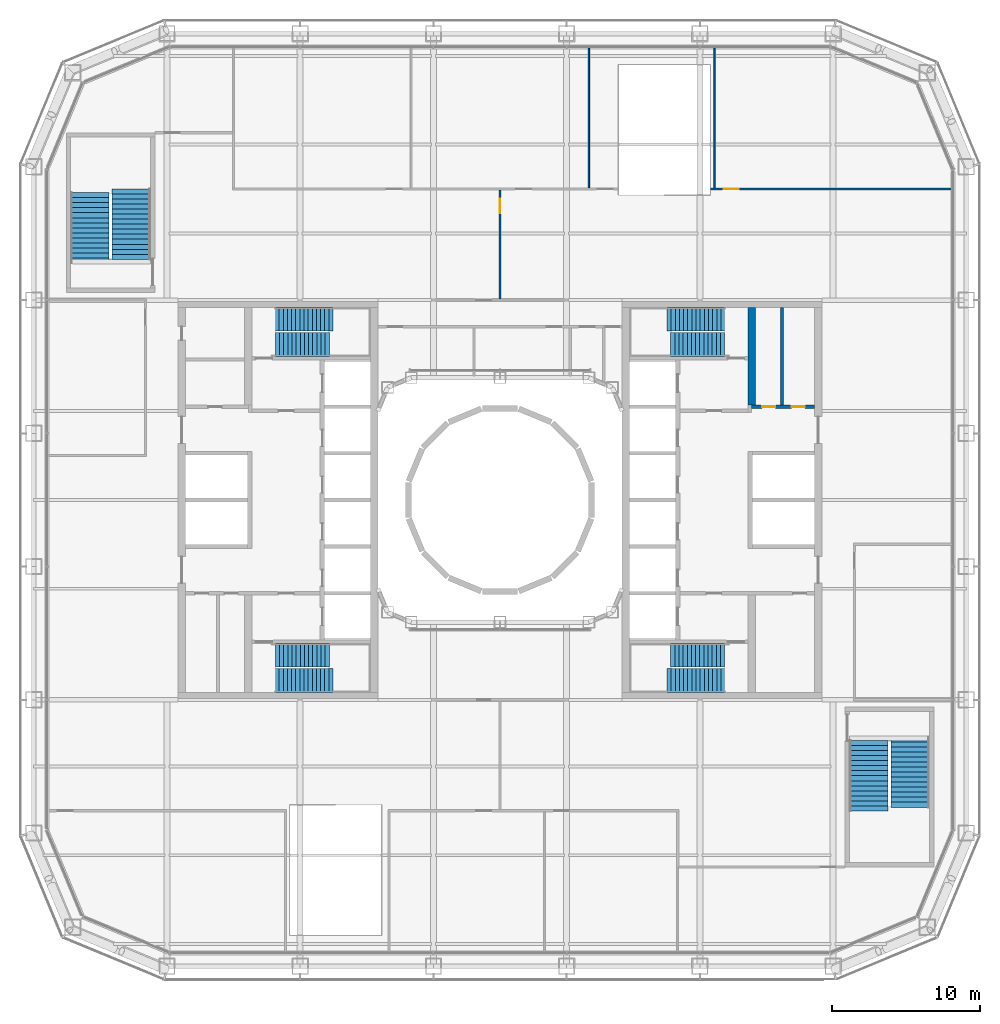
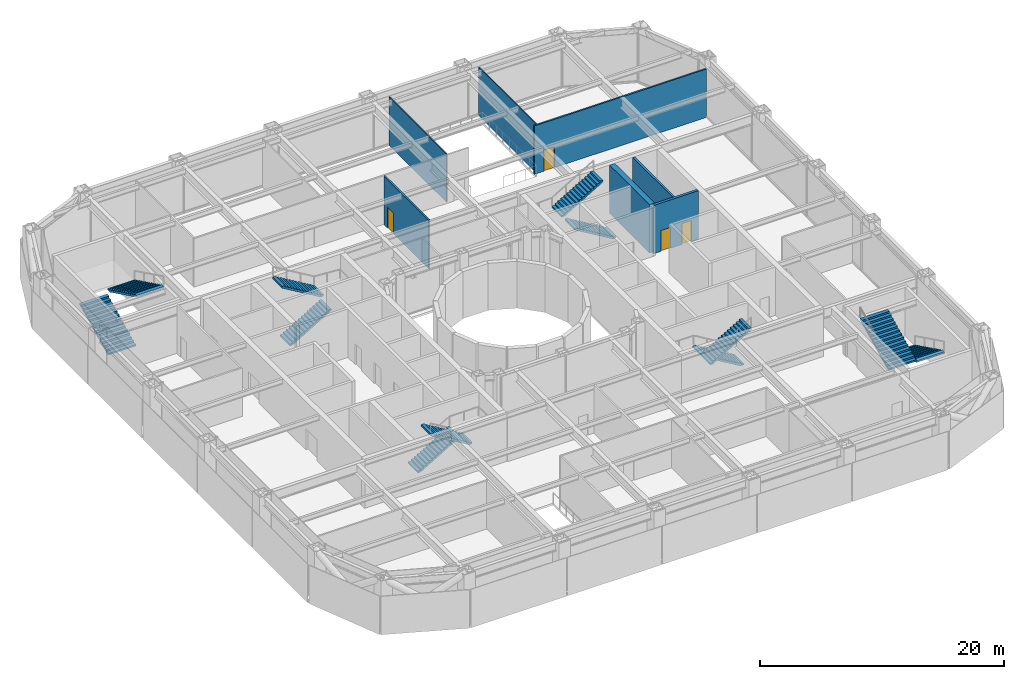
# One storey, part 15 of 24: 12 stair flights, 7 walls, 4 doors, 4 openings, 6 elements without a shape of their own.
"""IFC4 building model written with IfcOpenShell, lengths in metres."""

from ifc_helpers import new_model, si_unit, direction, frame, frame_2d, origin, place, context, subcontext, project, spatial, polyline, rectangle, outline, extrude, material, layer, layer_set, type_object, element, fill, aggregate, save


model = new_model("IFC4")

# Units and contexts
model_context = context("Model", 3, precision=1e-05, world=origin(), true_north=direction((0.0, 1.0)))
body_context = subcontext(model_context, "Body", "Model", "MODEL_VIEW")
ifc_project = project(units=[si_unit("LENGTHUNIT", "METRE"), si_unit("AREAUNIT", "SQUARE_METRE"), si_unit("VOLUMEUNIT", "CUBIC_METRE"), si_unit("PLANEANGLEUNIT", "RADIAN"), si_unit("MASSUNIT", "GRAM", prefix="KILO")], contexts=[model_context])

# Site, building, storey
site_placement = place(None, origin())
site = spatial("IfcSite", under=ifc_project, at=site_placement, CompositionType="ELEMENT")
building_placement = place(site_placement, origin())
building = spatial("IfcBuilding", under=site, at=building_placement, Name="Siwar Civic Tower", CompositionType="ELEMENT")
storey_placement = place(building_placement, frame((0.0, 0.0, 12.199951171875)))
storey = spatial("IfcBuildingStorey", under=building, at=storey_placement, Name="L02", CompositionType="ELEMENT", Elevation=12.199951171875)

# Wall
ifc_material_1 = material(Name="Gypsum board on steel studs", Category="steel")
ifc_layer_1 = layer(ifc_material_1, 0.199951171875)
ifc_layer_set_1 = layer_set([ifc_layer_1], Name="Gypsum board on steel studs")
wall_type_1 = type_object("IfcWallType", Name="CORE-PARTITION-200", PredefinedType="PARTITIONING", material=ifc_layer_set_1)
wall_1_placement = place(storey_placement, frame((19.050048828125, 6.425048828125, 0.0), z_axis=(0.0, 0.0, 1.0), x_axis=(0.0, 1.0, 0.0)))
element("IfcWall", 1, at=wall_1_placement, inside=storey, type_object=wall_type_1, Name="Core partition E", PredefinedType="PARTITIONING", context=body_context, shape_type="SweptSolid", body=[
    extrude(rectangle(XDim=6.574951171875, YDim=0.199951171875, at=frame_2d((3.28759765625, 0.0))), origin(), (0.0, 0.0, 1.0), 4.85009765625),
])

# Wall, openings, doors
ifc_material_2 = material(Name="Concrete C60/75", Category="concrete")
ifc_layer_2 = layer(ifc_material_2, 0.25)
ifc_layer_set_2 = layer_set([ifc_layer_2], Name="Concrete C60/75")
wall_type_2 = type_object("IfcWallType", Name="CORE-WALL-RC250", PredefinedType="SHEAR", material=ifc_layer_set_2)
wall_2_placement = place(storey_placement, frame((17.0, 6.300048828125, 0.0), z_axis=(0.0, 0.0, 1.0), x_axis=(1.0, 0.0, 0.0)))
wall_2 = element("IfcWall", 2, at=wall_2_placement, inside=storey, type_object=wall_type_2, Name="Core wall E", PredefinedType="SHEAR", context=body_context, shape_type="SweptSolid", body=[
    extrude(rectangle(XDim=4.25, YDim=0.25, at=frame_2d((2.125, 0.0))), origin(), (0.0, 0.0, 1.0), 4.85009765625),
])
opening_1_placement = place(wall_2_placement, frame((0.699951171875, 0.0, 0.0)))
opening_1 = element("IfcOpeningElement", 3, at=opening_1_placement, cuts=wall_2, Name="Opening L02-CE13", PredefinedType="OPENING", context=body_context, shape_type="SweptSolid", body=[
    extrude(rectangle(XDim=0.89990234375, YDim=2.10009765625, at=frame_2d((0.449951171875, 1.050048828125))), frame((0.0, 0.135009765625, 0.0), z_axis=(0.0, -1.0, 0.0), x_axis=(1.0, 0.0, 0.0)), (0.0, 0.0, 1.0), 0.27001953125),
])
opening_2_placement = place(wall_2_placement, frame((2.699951171875, 0.0, 0.0)))
opening_2 = element("IfcOpeningElement", 4, at=opening_2_placement, cuts=wall_2, Name="Opening L02-CE14", PredefinedType="OPENING", context=body_context, shape_type="SweptSolid", body=[
    extrude(rectangle(XDim=0.89990234375, YDim=2.10009765625, at=frame_2d((0.449951171875, 1.050048828125))), frame((0.0, 0.135009765625, 0.0), z_axis=(0.0, -1.0, 0.0), x_axis=(1.0, 0.0, 0.0)), (0.0, 0.0, 1.0), 0.27001953125),
])
ifc_material_3 = material(Name="Steel door leaf", Category="steel")
door_type_1 = type_object("IfcDoorType", Name="CORE-DOOR-ROOM", OperationType="SINGLE_SWING_LEFT", PredefinedType="DOOR", material=ifc_material_3)
door_1_placement = place(opening_1_placement, origin())
door_1 = element("IfcDoor", 5, at=door_1_placement, inside=storey, type_object=door_type_1, Name="Core room door L02-CE13", OperationType="SINGLE_SWING_LEFT", OverallHeight=2.10009765625, OverallWidth=0.89990234375, PredefinedType="DOOR", context=body_context, shape_type="SweptSolid", body=[
    extrude(rectangle(XDim=0.89990234375, YDim=2.10009765625, at=frame_2d((0.449951171875, 1.050048828125))), frame((0.0, 0.02490234375, 0.0), z_axis=(0.0, -1.0, 0.0), x_axis=(1.0, 0.0, 0.0)), (0.0, 0.0, 1.0), 0.050048828125),
])
fill(opening_1, door_1)
door_2_placement = place(opening_2_placement, origin())
door_2 = element("IfcDoor", 6, at=door_2_placement, inside=storey, type_object=door_type_1, Name="Core room door L02-CE14", OperationType="SINGLE_SWING_RIGHT", OverallHeight=2.10009765625, OverallWidth=0.89990234375, PredefinedType="DOOR", context=body_context, shape_type="SweptSolid", body=[
    extrude(rectangle(XDim=0.89990234375, YDim=2.10009765625, at=frame_2d((0.449951171875, 1.050048828125))), frame((0.0, 0.02490234375, 0.0), z_axis=(0.0, -1.0, 0.0), x_axis=(1.0, 0.0, 0.0)), (0.0, 0.0, 1.0), 0.050048828125),
])
fill(opening_2, door_2)

# Wall
ifc_material_4 = material(Name="Concrete C60/75", Category="concrete")
ifc_layer_3 = layer(ifc_material_4, 0.5)
ifc_layer_set_3 = layer_set([ifc_layer_3], Name="Concrete C60/75")
wall_type_3 = type_object("IfcWallType", Name="CORE-WALL-RC500", PredefinedType="SHEAR", material=ifc_layer_set_3)
wall_3_placement = place(storey_placement, frame((17.0, 6.425048828125, 0.0), z_axis=(0.0, 0.0, 1.0), x_axis=(0.0, 1.0, 0.0)))
element("IfcWall", 7, at=wall_3_placement, inside=storey, type_object=wall_type_3, Name="Core wall E", PredefinedType="SHEAR", context=body_context, shape_type="SweptSolid", body=[
    extrude(rectangle(XDim=6.574951171875, YDim=0.5, at=frame_2d((3.28759765625, 0.0))), origin(), (0.0, 0.0, 1.0), 4.85009765625),
])

# Wall, opening, door
ifc_material_5 = material(Name="Gypsum board on steel studs", Category="steel")
ifc_layer_4 = layer(ifc_material_5, 0.14990234375)
ifc_layer_set_4 = layer_set([ifc_layer_4], Name="Gypsum board on steel studs")
wall_type_4 = type_object("IfcWallType", Name="CORRIDOR PARTITION 150 EI 30", PredefinedType="PARTITIONING", material=ifc_layer_set_4)
wall_4_placement = place(storey_placement, frame((14.199951171875, 21.0, 0.0), z_axis=(0.0, 0.0, 1.0), x_axis=(1.0, 0.0, 0.0)))
wall_4 = element("IfcWall", 8, at=wall_4_placement, inside=storey, type_object=wall_type_4, Name="L02/wall/P13", PredefinedType="PARTITIONING", context=body_context, shape_type="SweptSolid", body=[
    extrude(rectangle(XDim=16.31005859375, YDim=0.14990234375, at=frame_2d((8.155029296875, 0.0))), origin(), (0.0, 0.0, 1.0), 4.85009765625),
])
opening_3_placement = place(wall_4_placement, frame((0.909912109375, 0.0, 0.0)))
opening_3 = element("IfcOpeningElement", 9, at=opening_3_placement, cuts=wall_4, Name="Opening D1", PredefinedType="OPENING", context=body_context, shape_type="SweptSolid", body=[
    extrude(rectangle(XDim=1.0, YDim=2.10009765625, at=frame_2d((0.5, 1.050048828125))), frame((0.0, 0.0849609375, 0.0), z_axis=(0.0, -1.0, 0.0), x_axis=(1.0, 0.0, 0.0)), (0.0, 0.0, 1.0), 0.169921875),
])
ifc_material_6 = material(Name="Timber, painted", Category="wood")
door_type_2 = type_object("IfcDoorType", Name="DOOR 1000 X 2100 FD30", OperationType="SINGLE_SWING_LEFT", PredefinedType="DOOR", material=ifc_material_6)
door_3_placement = place(opening_3_placement, origin())
door_3 = element("IfcDoor", 10, at=door_3_placement, inside=storey, type_object=door_type_2, Name="L02-D06", OperationType="SINGLE_SWING_RIGHT", OverallHeight=2.10009765625, OverallWidth=1.0, PredefinedType="DOOR", context=body_context, shape_type="SweptSolid", body=[
    extrude(rectangle(XDim=1.0, YDim=2.10009765625, at=frame_2d((0.5, 1.050048828125))), frame((0.0, 0.02490234375, 0.0), z_axis=(0.0, -1.0, 0.0), x_axis=(1.0, 0.0, 0.0)), (0.0, 0.0, 1.0), 0.050048828125),
])
fill(opening_3, door_3)

wall_5_placement = place(storey_placement, frame((0.0, 13.574951171875, 0.0), z_axis=(0.0, 0.0, 1.0), x_axis=(0.0, 1.0, 0.0)))
wall_5 = element("IfcWall", 11, at=wall_5_placement, inside=storey, type_object=wall_type_4, Name="L02/wall/P23", PredefinedType="PARTITIONING", context=body_context, shape_type="SweptSolid", body=[
    extrude(rectangle(XDim=7.35009765625, YDim=0.14990234375, at=frame_2d((3.675048828125, 0.0))), origin(), (0.0, 0.0, 1.0), 4.85009765625),
])
opening_4_placement = place(wall_5_placement, frame((5.77490234375, 0.0, 0.0)))
opening_4 = element("IfcOpeningElement", 12, at=opening_4_placement, cuts=wall_5, Name="Opening D1", PredefinedType="OPENING", context=body_context, shape_type="SweptSolid", body=[
    extrude(rectangle(XDim=1.0, YDim=2.10009765625, at=frame_2d((0.5, 1.050048828125))), frame((0.0, 0.0849609375, 0.0), z_axis=(0.0, -1.0, 0.0), x_axis=(1.0, 0.0, 0.0)), (0.0, 0.0, 1.0), 0.169921875),
])
door_4_placement = place(opening_4_placement, origin())
door_4 = element("IfcDoor", 13, at=door_4_placement, inside=storey, type_object=door_type_2, Name="L02-D01", OperationType="SINGLE_SWING_LEFT", OverallHeight=2.10009765625, OverallWidth=1.0, PredefinedType="DOOR", context=body_context, shape_type="SweptSolid", body=[
    extrude(rectangle(XDim=1.0, YDim=2.10009765625, at=frame_2d((0.5, 1.050048828125))), frame((0.0, 0.02490234375, 0.0), z_axis=(0.0, -1.0, 0.0), x_axis=(1.0, 0.0, 0.0)), (0.0, 0.0, 1.0), 0.050048828125),
])
fill(opening_4, door_4)

# Walls
ifc_material_7 = material(Name="Gypsum board on steel studs", Category="steel")
ifc_layer_5 = layer(ifc_material_7, 0.10009765625)
ifc_layer_set_5 = layer_set([ifc_layer_5], Name="Gypsum board on steel studs")
wall_type_5 = type_object("IfcWallType", Name="PARTITION 100 GYPSUM", PredefinedType="PARTITIONING", material=ifc_layer_set_5)
for number, where, z_axis, x_axis, name in (
    (14, (6.0, 21.074951171875, 0.0), (0.0, 0.0, 1.0), (0.0, 1.0, 0.0), "L02/wall/P26"),
    (15, (14.5, 21.074951171875, 0.0), (0.0, 0.0, 1.0), (0.0, 1.0, 0.0), "L02/wall/P30"),
):
    element("IfcWall", number, at=place(storey_placement, frame(where, z_axis=z_axis, x_axis=x_axis)), inside=storey, type_object=wall_type_5, Name=name, PredefinedType="PARTITIONING", context=body_context, shape_type="SweptSolid", body=[
        extrude(rectangle(XDim=9.43505859375, YDim=0.10009765625, at=frame_2d((4.717529296875, 0.0))), origin(), (0.0, 0.0, 1.0), 4.85009765625),
    ])

# Stair, stair flights
ifc_material_8 = material(Name="Concrete C40/50", Category="concrete")
stair_type_1 = type_object("IfcStairType", Name="CORE-STAIR", PredefinedType="TWO_STRAIGHT_RUN_STAIR", material=ifc_material_8)
stair_1_placement = place(storey_placement, origin())
stair_1 = element("IfcStair", 16, at=stair_1_placement, inside=storey, type_object=stair_type_1, Name="Exit stair ST1", PredefinedType="TWO_STRAIGHT_RUN_STAIR")
ifc_material_9 = material(Name="Concrete C40/50", Category="concrete")
stair_flight_type_1 = type_object("IfcStairFlightType", Name="CORE-STAIR-FLIGHT", PredefinedType="STRAIGHT", material=ifc_material_9)
stair_flight_1_placement = place(storey_placement, frame((-15.449951171875, 10.5, 0.0), z_axis=(0.0, 0.0, 1.0), x_axis=(1.0, 0.0, 0.0)))
stair_flight_1 = element("IfcStairFlight", 17, at=stair_flight_1_placement, type_object=stair_flight_type_1, Name="ST1 flight 1", NumberOfRisers=15, NumberOfTreads=14, PredefinedType="STRAIGHT", RiserHeight=0.166666667, TreadLength=0.28, context=body_context, shape_type="SweptSolid", body=[
    extrude(outline(polyline([(0.0, 0.0), (0.0, 0.166748046875), (0.280029296875, 0.166748046875), (0.280029296875, 0.333251953125), (0.56005859375, 0.333251953125), (0.56005859375, 0.5), (0.840087890625, 0.5), (0.840087890625, 0.666748046875), (1.1201171875, 0.666748046875), (1.1201171875, 0.833251953125), (1.39990234375, 0.833251953125), (1.39990234375, 1.0), (1.679931640625, 1.0), (1.679931640625, 1.166748046875), (1.9599609375, 1.166748046875), (1.9599609375, 1.333251953125), (2.239990234375, 1.333251953125), (2.239990234375, 1.5), (2.52001953125, 1.5), (2.52001953125, 1.666748046875), (2.800048828125, 1.666748046875), (2.800048828125, 1.833251953125), (3.080078125, 1.833251953125), (3.080078125, 2.0), (3.360107421875, 2.0), (3.360107421875, 2.166748046875), (3.639892578125, 2.166748046875), (3.639892578125, 2.333251953125), (3.919921875, 2.333251953125), (3.919921875, 2.5), (3.919921875, 2.158935546875), (0.29296875, 0.0), (0.0, 0.0)])), frame((0.0, 0.800048828125, 0.0), z_axis=(0.0, -1.0, 0.0), x_axis=(1.0, 0.0, 0.0)), (0.0, 0.0, 1.0), 1.60009765625),
])
stair_flight_2_placement = place(storey_placement, frame((-11.280029296875, 12.199951171875, 2.5), z_axis=(0.0, 0.0, 1.0), x_axis=(-1.0, 0.0, 0.0)))
stair_flight_2 = element("IfcStairFlight", 18, at=stair_flight_2_placement, type_object=stair_flight_type_1, Name="ST1 flight 2", NumberOfRisers=15, NumberOfTreads=14, PredefinedType="STRAIGHT", RiserHeight=0.166666667, TreadLength=0.28, context=body_context, shape_type="SweptSolid", body=[
    extrude(outline(polyline([(0.0, 0.0), (0.0, 0.166748046875), (0.280029296875, 0.166748046875), (0.280029296875, 0.333251953125), (0.56005859375, 0.333251953125), (0.56005859375, 0.5), (0.840087890625, 0.5), (0.840087890625, 0.666748046875), (1.1201171875, 0.666748046875), (1.1201171875, 0.833251953125), (1.39990234375, 0.833251953125), (1.39990234375, 1.0), (1.679931640625, 1.0), (1.679931640625, 1.166748046875), (1.9599609375, 1.166748046875), (1.9599609375, 1.333251953125), (2.239990234375, 1.333251953125), (2.239990234375, 1.5), (2.52001953125, 1.5), (2.52001953125, 1.666748046875), (2.800048828125, 1.666748046875), (2.800048828125, 1.833251953125), (3.080078125, 1.833251953125), (3.080078125, 2.0), (3.360107421875, 2.0), (3.360107421875, 2.166748046875), (3.639892578125, 2.166748046875), (3.639892578125, 2.333251953125), (3.919921875, 2.333251953125), (3.919921875, 2.5), (3.919921875, 2.158935546875), (0.29296875, 0.0), (0.0, 0.0)])), frame((0.0, 0.800048828125, 0.0), z_axis=(0.0, -1.0, 0.0), x_axis=(1.0, 0.0, 0.0)), (0.0, 0.0, 1.0), 1.60009765625),
])
aggregate(stair_1, [stair_flight_1, stair_flight_2])

stair_2_placement = place(storey_placement, origin())
stair_2 = element("IfcStair", 19, at=stair_2_placement, inside=storey, type_object=stair_type_1, Name="Exit stair ST2", PredefinedType="TWO_STRAIGHT_RUN_STAIR")
stair_flight_3_placement = place(storey_placement, frame((-15.449951171875, -10.5, 0.0), z_axis=(0.0, 0.0, 1.0), x_axis=(1.0, 0.0, 0.0)))
stair_flight_3 = element("IfcStairFlight", 20, at=stair_flight_3_placement, type_object=stair_flight_type_1, Name="ST2 flight 1", NumberOfRisers=15, NumberOfTreads=14, PredefinedType="STRAIGHT", RiserHeight=0.166666667, TreadLength=0.28, context=body_context, shape_type="SweptSolid", body=[
    extrude(outline(polyline([(0.0, 0.0), (0.0, 0.166748046875), (0.280029296875, 0.166748046875), (0.280029296875, 0.333251953125), (0.56005859375, 0.333251953125), (0.56005859375, 0.5), (0.840087890625, 0.5), (0.840087890625, 0.666748046875), (1.1201171875, 0.666748046875), (1.1201171875, 0.833251953125), (1.39990234375, 0.833251953125), (1.39990234375, 1.0), (1.679931640625, 1.0), (1.679931640625, 1.166748046875), (1.9599609375, 1.166748046875), (1.9599609375, 1.333251953125), (2.239990234375, 1.333251953125), (2.239990234375, 1.5), (2.52001953125, 1.5), (2.52001953125, 1.666748046875), (2.800048828125, 1.666748046875), (2.800048828125, 1.833251953125), (3.080078125, 1.833251953125), (3.080078125, 2.0), (3.360107421875, 2.0), (3.360107421875, 2.166748046875), (3.639892578125, 2.166748046875), (3.639892578125, 2.333251953125), (3.919921875, 2.333251953125), (3.919921875, 2.5), (3.919921875, 2.158935546875), (0.29296875, 0.0), (0.0, 0.0)])), frame((0.0, 0.800048828125, 0.0), z_axis=(0.0, -1.0, 0.0), x_axis=(1.0, 0.0, 0.0)), (0.0, 0.0, 1.0), 1.60009765625),
])
stair_flight_4_placement = place(storey_placement, frame((-11.280029296875, -12.199951171875, 2.5), z_axis=(0.0, 0.0, 1.0), x_axis=(-1.0, 0.0, 0.0)))
stair_flight_4 = element("IfcStairFlight", 21, at=stair_flight_4_placement, type_object=stair_flight_type_1, Name="ST2 flight 2", NumberOfRisers=15, NumberOfTreads=14, PredefinedType="STRAIGHT", RiserHeight=0.166666667, TreadLength=0.28, context=body_context, shape_type="SweptSolid", body=[
    extrude(outline(polyline([(0.0, 0.0), (0.0, 0.166748046875), (0.280029296875, 0.166748046875), (0.280029296875, 0.333251953125), (0.56005859375, 0.333251953125), (0.56005859375, 0.5), (0.840087890625, 0.5), (0.840087890625, 0.666748046875), (1.1201171875, 0.666748046875), (1.1201171875, 0.833251953125), (1.39990234375, 0.833251953125), (1.39990234375, 1.0), (1.679931640625, 1.0), (1.679931640625, 1.166748046875), (1.9599609375, 1.166748046875), (1.9599609375, 1.333251953125), (2.239990234375, 1.333251953125), (2.239990234375, 1.5), (2.52001953125, 1.5), (2.52001953125, 1.666748046875), (2.800048828125, 1.666748046875), (2.800048828125, 1.833251953125), (3.080078125, 1.833251953125), (3.080078125, 2.0), (3.360107421875, 2.0), (3.360107421875, 2.166748046875), (3.639892578125, 2.166748046875), (3.639892578125, 2.333251953125), (3.919921875, 2.333251953125), (3.919921875, 2.5), (3.919921875, 2.158935546875), (0.29296875, 0.0), (0.0, 0.0)])), frame((0.0, 0.800048828125, 0.0), z_axis=(0.0, -1.0, 0.0), x_axis=(1.0, 0.0, 0.0)), (0.0, 0.0, 1.0), 1.60009765625),
])
aggregate(stair_2, [stair_flight_3, stair_flight_4])

stair_3_placement = place(storey_placement, origin())
stair_3 = element("IfcStair", 22, at=stair_3_placement, inside=storey, type_object=stair_type_1, Name="Exit stair ST3", PredefinedType="TWO_STRAIGHT_RUN_STAIR")
stair_flight_5_placement = place(storey_placement, frame((15.449951171875, 10.5, 0.0), z_axis=(0.0, 0.0, 1.0), x_axis=(-1.0, 0.0, 0.0)))
stair_flight_5 = element("IfcStairFlight", 23, at=stair_flight_5_placement, type_object=stair_flight_type_1, Name="ST3 flight 1", NumberOfRisers=15, NumberOfTreads=14, PredefinedType="STRAIGHT", RiserHeight=0.166666667, TreadLength=0.28, context=body_context, shape_type="SweptSolid", body=[
    extrude(outline(polyline([(0.0, 0.0), (0.0, 0.166748046875), (0.280029296875, 0.166748046875), (0.280029296875, 0.333251953125), (0.56005859375, 0.333251953125), (0.56005859375, 0.5), (0.840087890625, 0.5), (0.840087890625, 0.666748046875), (1.1201171875, 0.666748046875), (1.1201171875, 0.833251953125), (1.39990234375, 0.833251953125), (1.39990234375, 1.0), (1.679931640625, 1.0), (1.679931640625, 1.166748046875), (1.9599609375, 1.166748046875), (1.9599609375, 1.333251953125), (2.239990234375, 1.333251953125), (2.239990234375, 1.5), (2.52001953125, 1.5), (2.52001953125, 1.666748046875), (2.800048828125, 1.666748046875), (2.800048828125, 1.833251953125), (3.080078125, 1.833251953125), (3.080078125, 2.0), (3.360107421875, 2.0), (3.360107421875, 2.166748046875), (3.639892578125, 2.166748046875), (3.639892578125, 2.333251953125), (3.919921875, 2.333251953125), (3.919921875, 2.5), (3.919921875, 2.158935546875), (0.29296875, 0.0), (0.0, 0.0)])), frame((0.0, 0.800048828125, 0.0), z_axis=(0.0, -1.0, 0.0), x_axis=(1.0, 0.0, 0.0)), (0.0, 0.0, 1.0), 1.60009765625),
])
stair_flight_6_placement = place(storey_placement, frame((11.280029296875, 12.199951171875, 2.5), z_axis=(0.0, 0.0, 1.0), x_axis=(1.0, 0.0, 0.0)))
stair_flight_6 = element("IfcStairFlight", 24, at=stair_flight_6_placement, type_object=stair_flight_type_1, Name="ST3 flight 2", NumberOfRisers=15, NumberOfTreads=14, PredefinedType="STRAIGHT", RiserHeight=0.166666667, TreadLength=0.28, context=body_context, shape_type="SweptSolid", body=[
    extrude(outline(polyline([(0.0, 0.0), (0.0, 0.166748046875), (0.280029296875, 0.166748046875), (0.280029296875, 0.333251953125), (0.56005859375, 0.333251953125), (0.56005859375, 0.5), (0.840087890625, 0.5), (0.840087890625, 0.666748046875), (1.1201171875, 0.666748046875), (1.1201171875, 0.833251953125), (1.39990234375, 0.833251953125), (1.39990234375, 1.0), (1.679931640625, 1.0), (1.679931640625, 1.166748046875), (1.9599609375, 1.166748046875), (1.9599609375, 1.333251953125), (2.239990234375, 1.333251953125), (2.239990234375, 1.5), (2.52001953125, 1.5), (2.52001953125, 1.666748046875), (2.800048828125, 1.666748046875), (2.800048828125, 1.833251953125), (3.080078125, 1.833251953125), (3.080078125, 2.0), (3.360107421875, 2.0), (3.360107421875, 2.166748046875), (3.639892578125, 2.166748046875), (3.639892578125, 2.333251953125), (3.919921875, 2.333251953125), (3.919921875, 2.5), (3.919921875, 2.158935546875), (0.29296875, 0.0), (0.0, 0.0)])), frame((0.0, 0.800048828125, 0.0), z_axis=(0.0, -1.0, 0.0), x_axis=(1.0, 0.0, 0.0)), (0.0, 0.0, 1.0), 1.60009765625),
])
aggregate(stair_3, [stair_flight_5, stair_flight_6])

stair_4_placement = place(storey_placement, origin())
stair_4 = element("IfcStair", 25, at=stair_4_placement, inside=storey, type_object=stair_type_1, Name="Exit stair ST4", PredefinedType="TWO_STRAIGHT_RUN_STAIR")
stair_flight_7_placement = place(storey_placement, frame((15.449951171875, -10.5, 0.0), z_axis=(0.0, 0.0, 1.0), x_axis=(-1.0, 0.0, 0.0)))
stair_flight_7 = element("IfcStairFlight", 26, at=stair_flight_7_placement, type_object=stair_flight_type_1, Name="ST4 flight 1", NumberOfRisers=15, NumberOfTreads=14, PredefinedType="STRAIGHT", RiserHeight=0.166666667, TreadLength=0.28, context=body_context, shape_type="SweptSolid", body=[
    extrude(outline(polyline([(0.0, 0.0), (0.0, 0.166748046875), (0.280029296875, 0.166748046875), (0.280029296875, 0.333251953125), (0.56005859375, 0.333251953125), (0.56005859375, 0.5), (0.840087890625, 0.5), (0.840087890625, 0.666748046875), (1.1201171875, 0.666748046875), (1.1201171875, 0.833251953125), (1.39990234375, 0.833251953125), (1.39990234375, 1.0), (1.679931640625, 1.0), (1.679931640625, 1.166748046875), (1.9599609375, 1.166748046875), (1.9599609375, 1.333251953125), (2.239990234375, 1.333251953125), (2.239990234375, 1.5), (2.52001953125, 1.5), (2.52001953125, 1.666748046875), (2.800048828125, 1.666748046875), (2.800048828125, 1.833251953125), (3.080078125, 1.833251953125), (3.080078125, 2.0), (3.360107421875, 2.0), (3.360107421875, 2.166748046875), (3.639892578125, 2.166748046875), (3.639892578125, 2.333251953125), (3.919921875, 2.333251953125), (3.919921875, 2.5), (3.919921875, 2.158935546875), (0.29296875, 0.0), (0.0, 0.0)])), frame((0.0, 0.800048828125, 0.0), z_axis=(0.0, -1.0, 0.0), x_axis=(1.0, 0.0, 0.0)), (0.0, 0.0, 1.0), 1.60009765625),
])
stair_flight_8_placement = place(storey_placement, frame((11.280029296875, -12.199951171875, 2.5), z_axis=(0.0, 0.0, 1.0), x_axis=(1.0, 0.0, 0.0)))
stair_flight_8 = element("IfcStairFlight", 27, at=stair_flight_8_placement, type_object=stair_flight_type_1, Name="ST4 flight 2", NumberOfRisers=15, NumberOfTreads=14, PredefinedType="STRAIGHT", RiserHeight=0.166666667, TreadLength=0.28, context=body_context, shape_type="SweptSolid", body=[
    extrude(outline(polyline([(0.0, 0.0), (0.0, 0.166748046875), (0.280029296875, 0.166748046875), (0.280029296875, 0.333251953125), (0.56005859375, 0.333251953125), (0.56005859375, 0.5), (0.840087890625, 0.5), (0.840087890625, 0.666748046875), (1.1201171875, 0.666748046875), (1.1201171875, 0.833251953125), (1.39990234375, 0.833251953125), (1.39990234375, 1.0), (1.679931640625, 1.0), (1.679931640625, 1.166748046875), (1.9599609375, 1.166748046875), (1.9599609375, 1.333251953125), (2.239990234375, 1.333251953125), (2.239990234375, 1.5), (2.52001953125, 1.5), (2.52001953125, 1.666748046875), (2.800048828125, 1.666748046875), (2.800048828125, 1.833251953125), (3.080078125, 1.833251953125), (3.080078125, 2.0), (3.360107421875, 2.0), (3.360107421875, 2.166748046875), (3.639892578125, 2.166748046875), (3.639892578125, 2.333251953125), (3.919921875, 2.333251953125), (3.919921875, 2.5), (3.919921875, 2.158935546875), (0.29296875, 0.0), (0.0, 0.0)])), frame((0.0, 0.800048828125, 0.0), z_axis=(0.0, -1.0, 0.0), x_axis=(1.0, 0.0, 0.0)), (0.0, 0.0, 1.0), 1.60009765625),
])
aggregate(stair_4, [stair_flight_7, stair_flight_8])

ifc_material_10 = material(Name="Concrete C40/50", Category="concrete")
stair_type_2 = type_object("IfcStairType", Name="GND-ES-STAIR-UPPER", PredefinedType="TWO_STRAIGHT_RUN_STAIR", material=ifc_material_10)
stair_5_placement = place(storey_placement, origin())
stair_5 = element("IfcStair", 28, at=stair_5_placement, inside=storey, type_object=stair_type_2, Name="Exit stair ST5", PredefinedType="TWO_STRAIGHT_RUN_STAIR")
ifc_material_11 = material(Name="Concrete C40/50", Category="concrete")
stair_flight_type_2 = type_object("IfcStairFlightType", Name="GND-ES-FLIGHT-UPPER", PredefinedType="STRAIGHT", material=ifc_material_11)
stair_flight_9_placement = place(storey_placement, frame((-27.699951171875, 16.0, 0.0), z_axis=(0.0, 0.0, 1.0), x_axis=(0.0, 1.0, 0.0)))
stair_flight_9 = element("IfcStairFlight", 29, at=stair_flight_9_placement, type_object=stair_flight_type_2, Name="ST5 flight 1", NumberOfRisers=15, NumberOfTreads=14, PredefinedType="STRAIGHT", RiserHeight=0.166667, TreadLength=0.34, context=body_context, shape_type="SweptSolid", body=[
    extrude(outline(polyline([(0.0, 0.0), (0.0, 0.166748046875), (0.340087890625, 0.166748046875), (0.340087890625, 0.333251953125), (0.679931640625, 0.333251953125), (0.679931640625, 0.5), (1.02001953125, 0.5), (1.02001953125, 0.666748046875), (1.360107421875, 0.666748046875), (1.360107421875, 0.833251953125), (1.699951171875, 0.833251953125), (1.699951171875, 1.0), (2.0400390625, 1.0), (2.0400390625, 1.166748046875), (2.3798828125, 1.166748046875), (2.3798828125, 1.333251953125), (2.719970703125, 1.333251953125), (2.719970703125, 1.5), (3.06005859375, 1.5), (3.06005859375, 1.666748046875), (3.39990234375, 1.666748046875), (3.39990234375, 1.833251953125), (3.739990234375, 1.833251953125), (3.739990234375, 2.0), (4.080078125, 2.0), (4.080078125, 2.166748046875), (4.419921875, 2.166748046875), (4.419921875, 2.333251953125), (4.760009765625, 2.333251953125), (4.760009765625, 2.5), (4.760009765625, 2.16650390625), (0.340576171875, 0.0), (0.0, 0.0)])), frame((0.0, 1.300048828125, 0.0), z_axis=(0.0, -1.0, 0.0), x_axis=(1.0, 0.0, 0.0)), (0.0, 0.0, 1.0), 2.60009765625),
])
stair_flight_10_placement = place(storey_placement, frame((-24.89990234375, 21.010009765625, 2.5), z_axis=(0.0, 0.0, 1.0), x_axis=(0.0, -1.0, 0.0)))
stair_flight_10 = element("IfcStairFlight", 30, at=stair_flight_10_placement, type_object=stair_flight_type_2, Name="ST5 flight 2", NumberOfRisers=15, NumberOfTreads=14, PredefinedType="STRAIGHT", RiserHeight=0.166667, TreadLength=0.34, context=body_context, shape_type="SweptSolid", body=[
    extrude(outline(polyline([(0.0, 0.0), (0.0, 0.166748046875), (0.340087890625, 0.166748046875), (0.340087890625, 0.333251953125), (0.679931640625, 0.333251953125), (0.679931640625, 0.5), (1.02001953125, 0.5), (1.02001953125, 0.666748046875), (1.360107421875, 0.666748046875), (1.360107421875, 0.833251953125), (1.699951171875, 0.833251953125), (1.699951171875, 1.0), (2.0400390625, 1.0), (2.0400390625, 1.166748046875), (2.3798828125, 1.166748046875), (2.3798828125, 1.333251953125), (2.719970703125, 1.333251953125), (2.719970703125, 1.5), (3.06005859375, 1.5), (3.06005859375, 1.666748046875), (3.39990234375, 1.666748046875), (3.39990234375, 1.833251953125), (3.739990234375, 1.833251953125), (3.739990234375, 2.0), (4.080078125, 2.0), (4.080078125, 2.166748046875), (4.419921875, 2.166748046875), (4.419921875, 2.333251953125), (4.760009765625, 2.333251953125), (4.760009765625, 2.5), (4.760009765625, 2.16650390625), (0.340576171875, 0.0), (0.0, 0.0)])), frame((0.0, 1.300048828125, 0.0), z_axis=(0.0, -1.0, 0.0), x_axis=(1.0, 0.0, 0.0)), (0.0, 0.0, 1.0), 2.60009765625),
])
aggregate(stair_5, [stair_flight_9, stair_flight_10])

stair_6_placement = place(storey_placement, origin())
stair_6 = element("IfcStair", 31, at=stair_6_placement, inside=storey, type_object=stair_type_2, Name="Exit stair ST6", PredefinedType="TWO_STRAIGHT_RUN_STAIR")
stair_flight_11_placement = place(storey_placement, frame((27.699951171875, -16.0, 0.0), z_axis=(0.0, 0.0, 1.0), x_axis=(0.0, -1.0, 0.0)))
stair_flight_11 = element("IfcStairFlight", 32, at=stair_flight_11_placement, type_object=stair_flight_type_2, Name="ST6 flight 1", NumberOfRisers=15, NumberOfTreads=14, PredefinedType="STRAIGHT", RiserHeight=0.166667, TreadLength=0.34, context=body_context, shape_type="SweptSolid", body=[
    extrude(outline(polyline([(0.0, 0.0), (0.0, 0.166748046875), (0.340087890625, 0.166748046875), (0.340087890625, 0.333251953125), (0.679931640625, 0.333251953125), (0.679931640625, 0.5), (1.02001953125, 0.5), (1.02001953125, 0.666748046875), (1.360107421875, 0.666748046875), (1.360107421875, 0.833251953125), (1.699951171875, 0.833251953125), (1.699951171875, 1.0), (2.0400390625, 1.0), (2.0400390625, 1.166748046875), (2.3798828125, 1.166748046875), (2.3798828125, 1.333251953125), (2.719970703125, 1.333251953125), (2.719970703125, 1.5), (3.06005859375, 1.5), (3.06005859375, 1.666748046875), (3.39990234375, 1.666748046875), (3.39990234375, 1.833251953125), (3.739990234375, 1.833251953125), (3.739990234375, 2.0), (4.080078125, 2.0), (4.080078125, 2.166748046875), (4.419921875, 2.166748046875), (4.419921875, 2.333251953125), (4.760009765625, 2.333251953125), (4.760009765625, 2.5), (4.760009765625, 2.16650390625), (0.340576171875, 0.0), (0.0, 0.0)])), frame((0.0, 1.300048828125, 0.0), z_axis=(0.0, -1.0, 0.0), x_axis=(1.0, 0.0, 0.0)), (0.0, 0.0, 1.0), 2.60009765625),
])
stair_flight_12_placement = place(storey_placement, frame((24.89990234375, -21.010009765625, 2.5), z_axis=(0.0, 0.0, 1.0), x_axis=(0.0, 1.0, 0.0)))
stair_flight_12 = element("IfcStairFlight", 33, at=stair_flight_12_placement, type_object=stair_flight_type_2, Name="ST6 flight 2", NumberOfRisers=15, NumberOfTreads=14, PredefinedType="STRAIGHT", RiserHeight=0.166667, TreadLength=0.34, context=body_context, shape_type="SweptSolid", body=[
    extrude(outline(polyline([(0.0, 0.0), (0.0, 0.166748046875), (0.340087890625, 0.166748046875), (0.340087890625, 0.333251953125), (0.679931640625, 0.333251953125), (0.679931640625, 0.5), (1.02001953125, 0.5), (1.02001953125, 0.666748046875), (1.360107421875, 0.666748046875), (1.360107421875, 0.833251953125), (1.699951171875, 0.833251953125), (1.699951171875, 1.0), (2.0400390625, 1.0), (2.0400390625, 1.166748046875), (2.3798828125, 1.166748046875), (2.3798828125, 1.333251953125), (2.719970703125, 1.333251953125), (2.719970703125, 1.5), (3.06005859375, 1.5), (3.06005859375, 1.666748046875), (3.39990234375, 1.666748046875), (3.39990234375, 1.833251953125), (3.739990234375, 1.833251953125), (3.739990234375, 2.0), (4.080078125, 2.0), (4.080078125, 2.166748046875), (4.419921875, 2.166748046875), (4.419921875, 2.333251953125), (4.760009765625, 2.333251953125), (4.760009765625, 2.5), (4.760009765625, 2.16650390625), (0.340576171875, 0.0), (0.0, 0.0)])), frame((0.0, 1.300048828125, 0.0), z_axis=(0.0, -1.0, 0.0), x_axis=(1.0, 0.0, 0.0)), (0.0, 0.0, 1.0), 2.60009765625),
])
aggregate(stair_6, [stair_flight_11, stair_flight_12])

save(model, "model.ifc")
